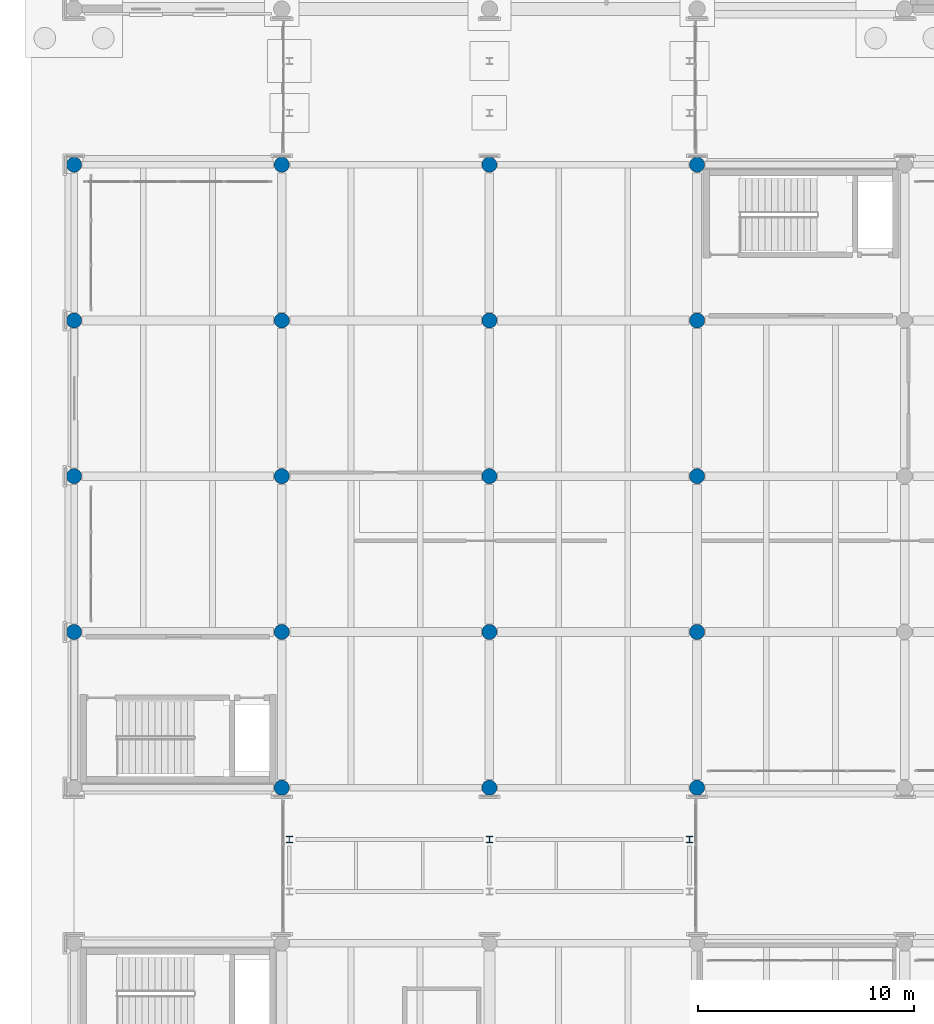
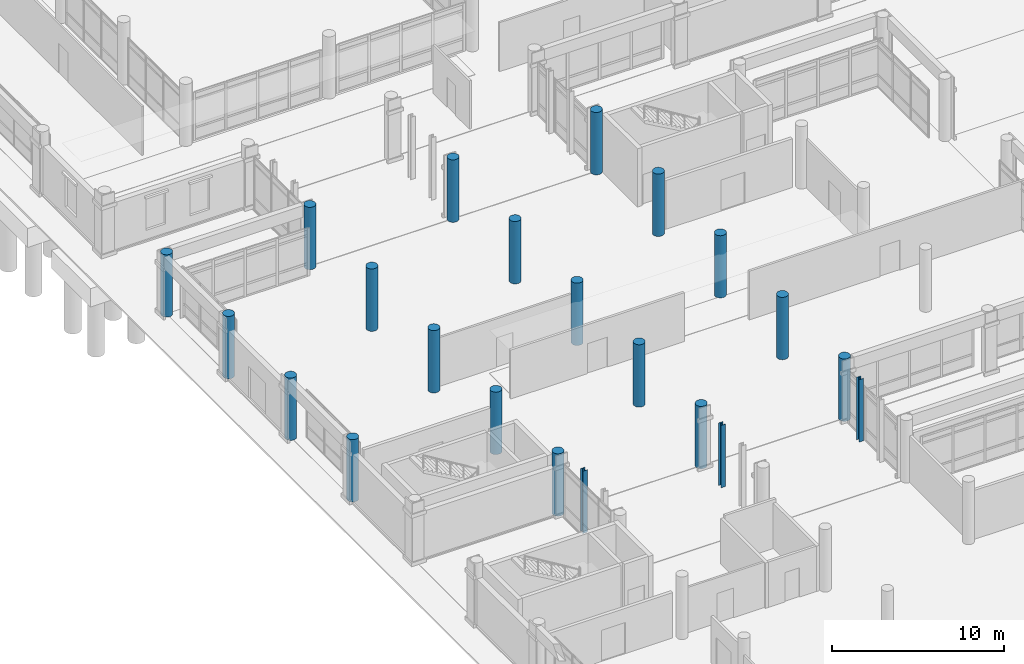
# One storey, part 12 of 196: 22 columns.
"""IFC4 building model written with IfcOpenShell, lengths in metres."""

from ifc_helpers import new_model, si_unit, direction, frame, origin, origin_2d, place, context, subcontext, project, spatial, circle, i_section, extrude, material, material_profile, profile_set, type_object, element, save


model = new_model("IFC4")

# Units and contexts
model_context = context("Model", 3, precision=1e-05, world=origin(), true_north=direction((0.0, 1.0)))
body_context = subcontext(model_context, "Body", "Model", "MODEL_VIEW")
ifc_project = project(units=[si_unit("LENGTHUNIT", "METRE"), si_unit("AREAUNIT", "SQUARE_METRE"), si_unit("VOLUMEUNIT", "CUBIC_METRE"), si_unit("PLANEANGLEUNIT", "RADIAN"), si_unit("MASSUNIT", "GRAM", prefix="KILO")], contexts=[model_context])

# Site, building, storey
site_placement = place(None, origin())
site = spatial("IfcSite", under=ifc_project, at=site_placement, CompositionType="ELEMENT")
building_placement = place(site_placement, origin())
building = spatial("IfcBuilding", under=site, at=building_placement, Name="Asteropetra Specialist Clinic", CompositionType="ELEMENT")
storey_placement = place(building_placement, origin())
storey = spatial("IfcBuildingStorey", under=building, at=storey_placement, Name="L00", CompositionType="ELEMENT", Elevation=0.0)

# Columns
ifc_material_1 = material(Name="Concrete C35/45", Category="concrete")
ifc_material_profile_1 = material_profile(ifc_material_1, circle(Radius=0.35009765625, at=origin_2d()), Name="RCC D700")
ifc_profile_set_1 = profile_set([ifc_material_profile_1], Name="Concrete C35/45")
column_type_1 = type_object("IfcColumnType", Name="COL-DORIC700", PredefinedType="COLUMN", material=ifc_profile_set_1)
for number, where, z_axis, x_axis, name in (
    (1, (0.0, 40.800048828125, 0.0), (0.0, 0.0, 1.0), (1.0, 0.0, 0.0), "Column CCOL13-0022"),
    (2, (0.0, 48.0, 0.0), (0.0, 0.0, 1.0), (1.0, 0.0, 0.0), "Column CCOL13-0027"),
    (3, (0.0, 55.199951171875, 0.0), (0.0, 0.0, 1.0), (1.0, 0.0, 0.0), "Column CCOL13-0032"),
    (4, (0.0, 62.39990234375, 0.0), (0.0, 0.0, 1.0), (1.0, 0.0, 0.0), "Column CCOL13-0037"),
    (5, (9.60009765625, 33.60009765625, 0.0), (0.0, 0.0, 1.0), (1.0, 0.0, 0.0), "Column CCOL13-0097"),
    (6, (9.60009765625, 40.800048828125, 0.0), (0.0, 0.0, 1.0), (1.0, 0.0, 0.0), "Column CCOL13-0102"),
    (7, (9.60009765625, 48.0, 0.0), (0.0, 0.0, 1.0), (1.0, 0.0, 0.0), "Column CCOL13-0107"),
    (8, (9.60009765625, 55.199951171875, 0.0), (0.0, 0.0, 1.0), (1.0, 0.0, 0.0), "Column CCOL13-0112"),
    (9, (9.60009765625, 62.39990234375, 0.0), (0.0, 0.0, 1.0), (1.0, 0.0, 0.0), "Column CCOL13-0117"),
    (10, (19.199951171875, 33.60009765625, 0.0), (0.0, 0.0, 1.0), (1.0, 0.0, 0.0), "Column CCOL13-0201"),
    (11, (19.199951171875, 40.800048828125, 0.0), (0.0, 0.0, 1.0), (1.0, 0.0, 0.0), "Column CCOL13-0206"),
    (12, (19.199951171875, 48.0, 0.0), (0.0, 0.0, 1.0), (1.0, 0.0, 0.0), "Column CCOL13-0211"),
    (13, (19.199951171875, 55.199951171875, 0.0), (0.0, 0.0, 1.0), (1.0, 0.0, 0.0), "Column CCOL13-0216"),
    (14, (19.199951171875, 62.39990234375, 0.0), (0.0, 0.0, 1.0), (1.0, 0.0, 0.0), "Column CCOL13-0221"),
    (15, (28.800048828125, 33.60009765625, 0.0), (0.0, 0.0, 1.0), (1.0, 0.0, 0.0), "Column CCOL13-0293"),
    (16, (28.800048828125, 40.800048828125, 0.0), (0.0, 0.0, 1.0), (1.0, 0.0, 0.0), "Column CCOL13-0298"),
    (17, (28.800048828125, 48.0, 0.0), (0.0, 0.0, 1.0), (1.0, 0.0, 0.0), "Column CCOL13-0303"),
    (18, (28.800048828125, 55.199951171875, 0.0), (0.0, 0.0, 1.0), (1.0, 0.0, 0.0), "Column CCOL13-0308"),
    (19, (28.800048828125, 62.39990234375, 0.0), (0.0, 0.0, 1.0), (1.0, 0.0, 0.0), "Column CCOL13-0313"),
):
    element("IfcColumn", number, at=place(storey_placement, frame(where, z_axis=z_axis, x_axis=x_axis)), inside=storey, type_object=column_type_1, Name=name, PredefinedType="COLUMN", context=body_context, shape_type="SweptSolid", body=[
        extrude(circle(Radius=0.35009765625, at=origin_2d()), origin(), (0.0, 0.0, 1.0), 4.419921875),
    ])
ifc_material_2 = material(Name="Steel S355", Category="steel")
ifc_material_profile_2 = material_profile(ifc_material_2, i_section(OverallWidth=0.300048828125, OverallDepth=0.300048828125, WebThickness=0.010986328125, FlangeThickness=0.01904296875, FilletRadius=0.027099609375, at=origin_2d()), Name="HEB 300")
ifc_profile_set_2 = profile_set([ifc_material_profile_2], Name="Steel S355")
column_type_2 = type_object("IfcColumnType", Name="COL-STL-HEB300", PredefinedType="COLUMN", material=ifc_profile_set_2)
for number, where, z_axis, x_axis, name in (
    (20, (9.949951171875, 31.199951171875, 0.0), (0.0, 0.0, 1.0), (1.0, 0.0, 0.0), "Column CCOLS1-0166"),
    (21, (19.199951171875, 31.199951171875, 0.0), (0.0, 0.0, 1.0), (1.0, 0.0, 0.0), "Column CCOLS1-0197"),
    (22, (28.449951171875, 31.199951171875, 0.0), (0.0, 0.0, 1.0), (1.0, 0.0, 0.0), "Column CCOLS1-0266"),
):
    element("IfcColumn", number, at=place(storey_placement, frame(where, z_axis=z_axis, x_axis=x_axis)), inside=storey, type_object=column_type_2, Name=name, PredefinedType="COLUMN", context=body_context, shape_type="SweptSolid", body=[
        extrude(i_section(OverallWidth=0.300048828125, OverallDepth=0.300048828125, WebThickness=0.010986328125, FlangeThickness=0.01904296875, FilletRadius=0.027099609375, at=origin_2d()), origin(), (0.0, 0.0, 1.0), 4.419921875),
    ])

save(model, "model.ifc")
